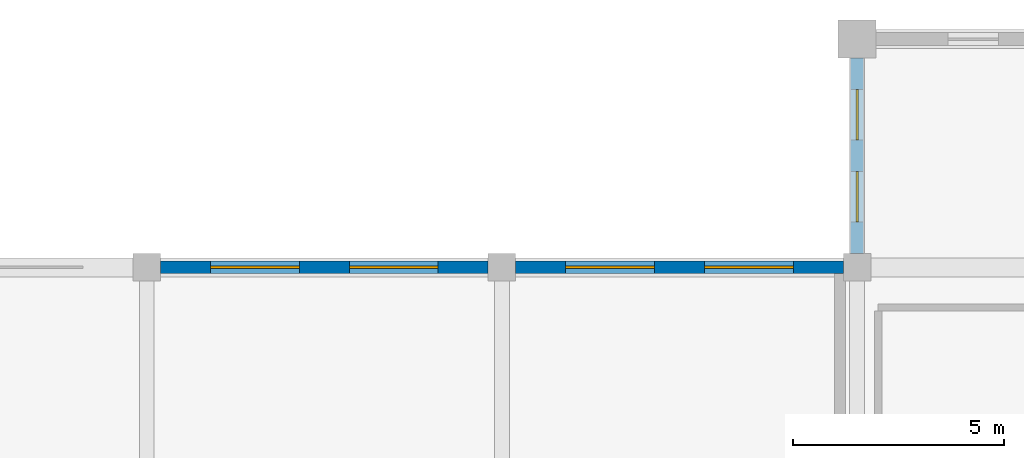
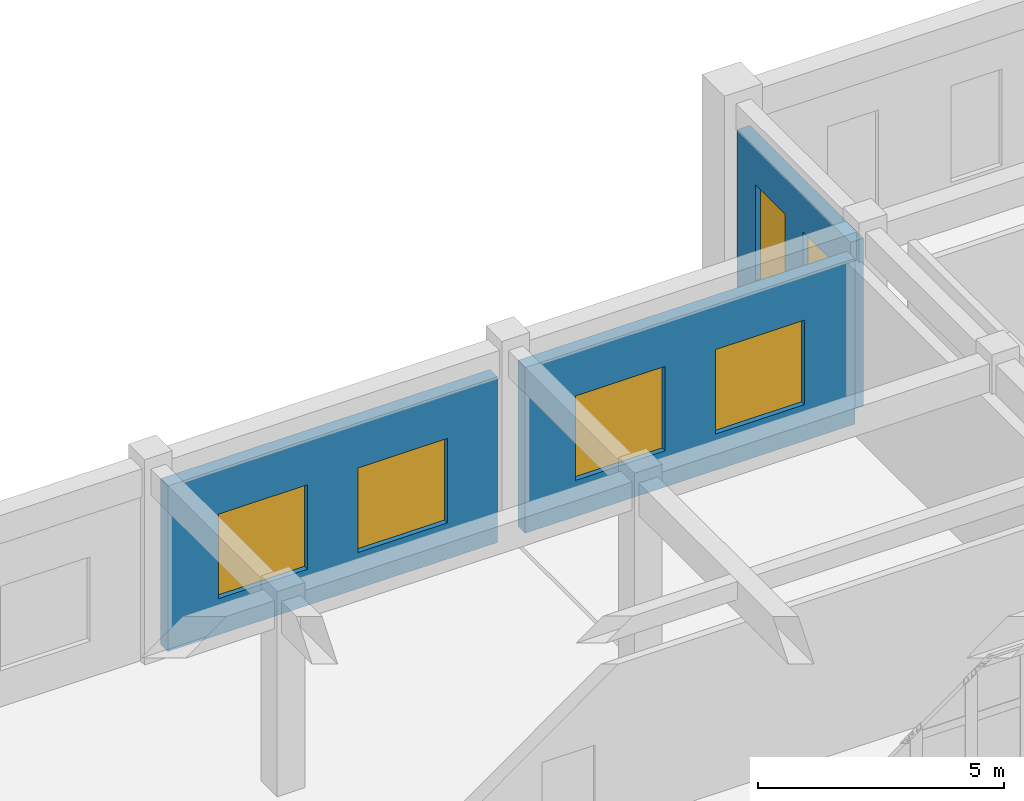
# One storey, part 64 of 80: 6 windows, 3 walls, 6 openings.
"""IFC4 building model written with IfcOpenShell, lengths in metres."""

import ifcopenshell
import ifcopenshell.guid

model = None  # the IFC model being written
_history = None  # IfcOwnerHistory: only IFC2X3 demands one
_inside = {}  # id of a spatial element -> (the spatial element, [elements in it])
_under = {}  # id of a project, library or spatial element -> (it, [spatial elements below it])
_declared = {}  # id of a project -> (the project, [libraries it declares])
_typed = {}  # id of a type object -> (the type object, [elements of that type])
_made_of = {}  # id of a material, layer set ... -> (it, [elements and type objects made of it])


def new_model(schema):
    """Start an empty IFC model of exactly this schema.

    Asked for "IFC4X3", IfcOpenShell would pick the latest addendum, in which some entities
    have other attributes; the version numbers below select the first issue.
    IFC2X3 requires an IfcOwnerHistory on every rooted entity: one is made here for all.
    """
    global model, _history
    if schema == "IFC4X3":
        model = ifcopenshell.file(schema_version=(4, 3, 0, 0))
    else:
        model = ifcopenshell.file(schema=schema)
    _inside.clear()
    _under.clear()
    _declared.clear()
    _typed.clear()
    _made_of.clear()
    _history = None
    if model.schema == "IFC2X3":
        org = make("IfcOrganization", Name="unknown")
        user = make(
            "IfcPersonAndOrganization",
            ThePerson=make("IfcPerson", FamilyName="unknown"),
            TheOrganization=org,
        )
        app = make(
            "IfcApplication",
            ApplicationDeveloper=org,
            Version="unknown",
            ApplicationFullName="unknown",
            ApplicationIdentifier="unknown",
        )
        _history = make(
            "IfcOwnerHistory",
            OwningUser=user,
            OwningApplication=app,
            ChangeAction="ADDED",
            CreationDate=0,
        )
    return model


def make(cls, **values):
    """One entity of the class cls with the attributes given. An attribute that is None is left unset."""
    return model.create_entity(
        cls, **{name: value for name, value in values.items() if value is not None}
    )


def rooted(cls, **values):
    """An entity with a GlobalId (a new one), such as an element, a storey or a relation."""
    return make(cls, GlobalId=ifcopenshell.guid.new(), OwnerHistory=_history, **values)


def si_unit(unit_type, name, prefix=None):
    """IfcSIUnit, for example si_unit("LENGTHUNIT", "METRE", prefix="MILLI")."""
    return make("IfcSIUnit", UnitType=unit_type, Prefix=prefix, Name=name)


def assignment(units):
    """IfcUnitAssignment: the units of a project."""
    return None if units is None else make("IfcUnitAssignment", Units=units)


def point(xyz):
    """IfcCartesianPoint."""
    return None if xyz is None else make("IfcCartesianPoint", Coordinates=xyz)


def direction(xyz):
    """IfcDirection."""
    return None if xyz is None else make("IfcDirection", DirectionRatios=xyz)


def frame(location, z_axis=None, x_axis=None):
    """IfcAxis2Placement3D, a coordinate frame: its origin and axes. An axis left out is left unset."""
    return make(
        "IfcAxis2Placement3D",
        Location=point(location),
        Axis=direction(z_axis),
        RefDirection=direction(x_axis),
    )


def frame_2d(location, x_axis=None):
    """IfcAxis2Placement2D, a coordinate frame in the plane: its origin and x axis."""
    return make(
        "IfcAxis2Placement2D", Location=point(location), RefDirection=direction(x_axis)
    )


def origin():
    """The frame at (0, 0, 0) with its axes left unset."""
    return frame((0.0, 0.0, 0.0))


def place(relative_to, where):
    """IfcLocalPlacement: puts the frame where relative to a parent placement (None: the world)."""
    return make(
        "IfcLocalPlacement", PlacementRelTo=relative_to, RelativePlacement=where
    )


def context(
    kind, dimensions, precision=None, world=None, true_north=None, identifier=None
):
    """IfcGeometricRepresentationContext, for example the 3D "Model" context."""
    return make(
        "IfcGeometricRepresentationContext",
        ContextIdentifier=identifier,
        ContextType=kind,
        CoordinateSpaceDimension=dimensions,
        Precision=precision,
        WorldCoordinateSystem=world,
        TrueNorth=true_north,
    )


def subcontext(parent, identifier, kind, view, scale=None):
    """IfcGeometricRepresentationSubContext, for example "Body" below "Model"."""
    return make(
        "IfcGeometricRepresentationSubContext",
        ContextIdentifier=identifier,
        ContextType=kind,
        ParentContext=parent,
        TargetScale=scale,
        TargetView=view,
    )


def project(units=None, contexts=None):
    """IfcProject with its units and contexts."""
    return rooted(
        "IfcProject",
        Name="project",
        RepresentationContexts=contexts,
        UnitsInContext=assignment(units),
    )


def spatial(cls, under=None, at=None, **own):
    """A site, building, storey or space (cls), placed at a placement, below another one or the project."""
    s = rooted(cls, ObjectPlacement=at, **own)
    if under is not None:
        _under.setdefault(under.id(), (under, []))[1].append(s)
    return s


def profile(cls, at=None, kind="AREA", **sizes):
    """A parametric profile (cls). Its sizes go by their IFC names, for example OverallWidth=200.0."""
    return make(cls, ProfileType=kind, Position=at, **sizes)


def rectangle(**sizes):
    """IfcRectangleProfileDef."""
    return profile("IfcRectangleProfileDef", **sizes)


def extrude(swept, where, along, depth):
    """IfcExtrudedAreaSolid: the profile swept, set in the frame where, extruded along a direction by depth."""
    return make(
        "IfcExtrudedAreaSolid",
        SweptArea=swept,
        Position=where,
        ExtrudedDirection=direction(along),
        Depth=depth,
    )


def shape(context_of_items, identifier, shape_type, items):
    """IfcShapeRepresentation: the items that make up one representation, for example the "Body"."""
    return make(
        "IfcShapeRepresentation",
        ContextOfItems=context_of_items,
        RepresentationIdentifier=identifier,
        RepresentationType=shape_type,
        Items=items,
    )


def material(Name=None, Category=None):
    """IfcMaterial."""
    return make("IfcMaterial", Name=Name, Category=Category)


def layer(
    of_material, thickness, ventilated=None, Name=None, Category=None, Priority=None
):
    """IfcMaterialLayer: one layer of a wall or slab, of a material (None: an air gap)."""
    return make(
        "IfcMaterialLayer",
        Material=of_material,
        LayerThickness=thickness,
        IsVentilated=ventilated,
        Name=Name,
        Category=Category,
        Priority=Priority,
    )


def layer_set(layers, Name=None):
    """IfcMaterialLayerSet."""
    return make("IfcMaterialLayerSet", MaterialLayers=layers, LayerSetName=Name)


def made_of(thing, what):
    """Note that an element or type object is made of a material, layer set ...; save() writes the relation."""
    if what is not None:
        _made_of.setdefault(what.id(), (what, []))[1].append(thing)
    return thing


def type_object(cls, material=None, **own):
    """A type object (cls), such as IfcWallType, which elements share."""
    return made_of(rooted(cls, **own), material)


def element(
    cls,
    number,
    at=None,
    inside=None,
    cuts=None,
    type_object=None,
    material=None,
    context=None,
    identifier="Body",
    shape_type=None,
    held_by="IfcProductDefinitionShape",
    body=None,
    shapes=None,
    **own,
):
    """One element of the class cls, such as IfcWall. Its Tag is "e" and its number.

    at: its placement. inside: the storey or other place that contains it. cuts: it is an
    opening in that element (IfcRelVoidsElement). A single representation is given by context,
    identifier, shape_type and body (its items); several are given by shapes. held_by: the class
    of the entity that holds the representations. save() writes the other relations.
    """
    e = rooted(cls, Tag="e%d" % number, ObjectPlacement=at, **own)
    if body is not None:
        shapes = [shape(context, identifier, shape_type, body)]
    if shapes is not None:
        e.Representation = make(held_by, Representations=shapes)
    if inside is not None:
        _inside.setdefault(inside.id(), (inside, []))[1].append(e)
    if cuts is not None:
        rooted(
            "IfcRelVoidsElement", RelatingBuildingElement=cuts, RelatedOpeningElement=e
        )
    if type_object is not None:
        _typed.setdefault(type_object.id(), (type_object, []))[1].append(e)
    return made_of(e, material)


def fill(opening, filler):
    """IfcRelFillsElement: the door or window that sits in an opening."""
    return rooted(
        "IfcRelFillsElement",
        RelatingOpeningElement=opening,
        RelatedBuildingElement=filler,
    )


def aggregate(whole, parts):
    """IfcRelAggregates: a whole, such as a stair, and the parts it consists of."""
    return rooted("IfcRelAggregates", RelatingObject=whole, RelatedObjects=parts)


def save(model, path):
    """Write the relations noted so far, then the file.

    IfcRelAggregates (storeys below a building ...), IfcRelContainedInSpatialStructure (elements
    in a storey), IfcRelDefinesByType, IfcRelAssociatesMaterial and IfcRelDeclares: one each for
    every whole, place, type object, material and project.
    """
    for whole, parts in _under.values():
        aggregate(whole, parts)
    for where, things in _inside.values():
        rooted(
            "IfcRelContainedInSpatialStructure",
            RelatedElements=things,
            RelatingStructure=where,
        )
    for kind, things in _typed.values():
        rooted("IfcRelDefinesByType", RelatedObjects=things, RelatingType=kind)
    for what, things in _made_of.values():
        rooted("IfcRelAssociatesMaterial", RelatedObjects=things, RelatingMaterial=what)
    for by, libraries in _declared.values():
        rooted("IfcRelDeclares", RelatingContext=by, RelatedDefinitions=libraries)
    model.write(path)


model = new_model("IFC4")

# Units and contexts
model_context = context("Model", 3, precision=1e-05, world=origin(), true_north=direction((0.0, 1.0)))
body_context = subcontext(model_context, "Body", "Model", "MODEL_VIEW")
ifc_project = project(units=[si_unit("LENGTHUNIT", "METRE"), si_unit("AREAUNIT", "SQUARE_METRE"), si_unit("VOLUMEUNIT", "CUBIC_METRE"), si_unit("PLANEANGLEUNIT", "RADIAN"), si_unit("MASSUNIT", "GRAM", prefix="KILO")], contexts=[model_context])

# Site, building, storey
site_placement = place(None, origin())
site = spatial("IfcSite", under=ifc_project, at=site_placement, CompositionType="ELEMENT")
building_placement = place(site_placement, origin())
building = spatial("IfcBuilding", under=site, at=building_placement, Name="Krzemoval Escarpment Law Courts", CompositionType="ELEMENT")
storey_placement = place(building_placement, origin())
storey = spatial("IfcBuildingStorey", under=building, at=storey_placement, Name="L00", CompositionType="ELEMENT", Elevation=0.0)

# Wall, openings, windows
ifc_material_1 = material(Name="Precast concrete C40/50", Category="concrete")
ifc_layer = layer(ifc_material_1, 0.300048828125)
ifc_layer_set = layer_set([ifc_layer], Name="Precast concrete C40/50")
wall_type = type_object("IfcWallType", Name="WL-EXT-300", PredefinedType="SOLIDWALL", material=ifc_layer_set)
wall_1_placement = place(storey_placement, frame((109.52490234375, 113.39990234375, 0.0), z_axis=(0.0, 0.0, 1.0), x_axis=(1.0, 0.0, 0.0)))
wall_1 = element("IfcWall", 1, at=wall_1_placement, inside=storey, type_object=wall_type, Name="Exterior Wall EW-L00-0087", PredefinedType="SOLIDWALL", context=body_context, shape_type="SweptSolid", body=[
    extrude(rectangle(XDim=7.75, YDim=0.300048828125, at=frame_2d((3.875, 0.0))), origin(), (0.0, 0.0, 1.0), 4.1201171875),
])
opening_1_placement = place(wall_1_placement, frame((1.18310546875, 0.0, 0.89990234375)))
opening_1 = element("IfcOpeningElement", 2, at=opening_1_placement, cuts=wall_1, Name="Opening WN-L00-0025", PredefinedType="OPENING", context=body_context, shape_type="SweptSolid", body=[
    extrude(rectangle(XDim=2.10009765625, YDim=2.10009765625, at=frame_2d((1.050048828125, 1.050048828125))), frame((0.0, 0.16502, 0.0), z_axis=(0.0, -1.0, 0.0), x_axis=(1.0, 0.0, 0.0)), (0.0, 0.0, 1.0), 0.33005),
])
opening_2_placement = place(wall_1_placement, frame((4.467041015625, 0.0, 0.89990234375)))
opening_2 = element("IfcOpeningElement", 3, at=opening_2_placement, cuts=wall_1, Name="Opening WN-L00-0026", PredefinedType="OPENING", context=body_context, shape_type="SweptSolid", body=[
    extrude(rectangle(XDim=2.10009765625, YDim=2.10009765625, at=frame_2d((1.050048828125, 1.050048828125))), frame((0.0, 0.16502, 0.0), z_axis=(0.0, -1.0, 0.0), x_axis=(1.0, 0.0, 0.0)), (0.0, 0.0, 1.0), 0.33005),
])
ifc_material_2 = material(Name="Thermally Broken Aluminium Frame with Triple Low-E Acoustic Glass", Category="aluminium")
window_type_1 = type_object("IfcWindowType", Name="WN-2100x2100", PartitioningType="SINGLE_PANEL", PredefinedType="WINDOW", material=ifc_material_2)
window_1_placement = place(opening_1_placement, origin())
window_1 = element("IfcWindow", 4, at=window_1_placement, inside=storey, type_object=window_type_1, Name="Facade Window WN-L00-0025", OverallHeight=2.10009765625, OverallWidth=2.10009765625, PartitioningType="SINGLE_PANEL", PredefinedType="WINDOW", context=body_context, shape_type="SweptSolid", body=[
    extrude(rectangle(XDim=2.10009765625, YDim=2.10009765625, at=frame_2d((1.050048828125, 1.050048828125))), frame((0.0, 0.030029296875, 0.0), z_axis=(0.0, -1.0, 0.0), x_axis=(1.0, 0.0, 0.0)), (0.0, 0.0, 1.0), 0.06005859375),
])
fill(opening_1, window_1)
window_2_placement = place(opening_2_placement, origin())
window_2 = element("IfcWindow", 5, at=window_2_placement, inside=storey, type_object=window_type_1, Name="Facade Window WN-L00-0026", OverallHeight=2.10009765625, OverallWidth=2.10009765625, PartitioningType="SINGLE_PANEL", PredefinedType="WINDOW", context=body_context, shape_type="SweptSolid", body=[
    extrude(rectangle(XDim=2.10009765625, YDim=2.10009765625, at=frame_2d((1.050048828125, 1.050048828125))), frame((0.0, 0.030029296875, 0.0), z_axis=(0.0, -1.0, 0.0), x_axis=(1.0, 0.0, 0.0)), (0.0, 0.0, 1.0), 0.06005859375),
])
fill(opening_2, window_2)

wall_2_placement = place(storey_placement, frame((117.925048828125, 113.39990234375, 0.0), z_axis=(0.0, 0.0, 1.0), x_axis=(1.0, 0.0, 0.0)))
wall_2 = element("IfcWall", 6, at=wall_2_placement, inside=storey, type_object=wall_type, Name="Exterior Wall EW-L00-0088", PredefinedType="SOLIDWALL", context=body_context, shape_type="SweptSolid", body=[
    extrude(rectangle(XDim=7.75, YDim=0.300048828125, at=frame_2d((3.875, 0.0))), origin(), (0.0, 0.0, 1.0), 4.1201171875),
])
opening_3_placement = place(wall_2_placement, frame((1.18310546875, 0.0, 0.89990234375)))
opening_3 = element("IfcOpeningElement", 7, at=opening_3_placement, cuts=wall_2, Name="Opening WN-L00-0027", PredefinedType="OPENING", context=body_context, shape_type="SweptSolid", body=[
    extrude(rectangle(XDim=2.10009765625, YDim=2.10009765625, at=frame_2d((1.050048828125, 1.050048828125))), frame((0.0, 0.16502, 0.0), z_axis=(0.0, -1.0, 0.0), x_axis=(1.0, 0.0, 0.0)), (0.0, 0.0, 1.0), 0.33005),
])
opening_4_placement = place(wall_2_placement, frame((4.467041015625, 0.0, 0.89990234375)))
opening_4 = element("IfcOpeningElement", 8, at=opening_4_placement, cuts=wall_2, Name="Opening WN-L00-0028", PredefinedType="OPENING", context=body_context, shape_type="SweptSolid", body=[
    extrude(rectangle(XDim=2.10009765625, YDim=2.10009765625, at=frame_2d((1.050048828125, 1.050048828125))), frame((0.0, 0.16502, 0.0), z_axis=(0.0, -1.0, 0.0), x_axis=(1.0, 0.0, 0.0)), (0.0, 0.0, 1.0), 0.33005),
])
window_3_placement = place(opening_3_placement, origin())
window_3 = element("IfcWindow", 9, at=window_3_placement, inside=storey, type_object=window_type_1, Name="Facade Window WN-L00-0027", OverallHeight=2.10009765625, OverallWidth=2.10009765625, PartitioningType="SINGLE_PANEL", PredefinedType="WINDOW", context=body_context, shape_type="SweptSolid", body=[
    extrude(rectangle(XDim=2.10009765625, YDim=2.10009765625, at=frame_2d((1.050048828125, 1.050048828125))), frame((0.0, 0.030029296875, 0.0), z_axis=(0.0, -1.0, 0.0), x_axis=(1.0, 0.0, 0.0)), (0.0, 0.0, 1.0), 0.06005859375),
])
fill(opening_3, window_3)
window_4_placement = place(opening_4_placement, origin())
window_4 = element("IfcWindow", 10, at=window_4_placement, inside=storey, type_object=window_type_1, Name="Facade Window WN-L00-0028", OverallHeight=2.10009765625, OverallWidth=2.10009765625, PartitioningType="SINGLE_PANEL", PredefinedType="WINDOW", context=body_context, shape_type="SweptSolid", body=[
    extrude(rectangle(XDim=2.10009765625, YDim=2.10009765625, at=frame_2d((1.050048828125, 1.050048828125))), frame((0.0, 0.030029296875, 0.0), z_axis=(0.0, -1.0, 0.0), x_axis=(1.0, 0.0, 0.0)), (0.0, 0.0, 1.0), 0.06005859375),
])
fill(opening_4, window_4)

wall_3_placement = place(storey_placement, frame((126.0, 113.72509765625, 0.0), z_axis=(0.0, 0.0, 1.0), x_axis=(0.0, 1.0, 0.0)))
wall_3 = element("IfcWall", 11, at=wall_3_placement, inside=storey, type_object=wall_type, Name="Exterior Wall EW-L00-0089", PredefinedType="SOLIDWALL", context=body_context, shape_type="SweptSolid", body=[
    extrude(rectangle(XDim=4.625, YDim=0.300048828125, at=frame_2d((2.3125, 0.0))), origin(), (0.0, 0.0, 1.0), 4.169921875),
])
opening_5_placement = place(wall_3_placement, frame((0.741943359375, 0.0, 0.85009765625)))
opening_5 = element("IfcOpeningElement", 12, at=opening_5_placement, cuts=wall_3, Name="Opening WN-L00-0029", PredefinedType="OPENING", context=body_context, shape_type="SweptSolid", body=[
    extrude(rectangle(XDim=1.199951171875, YDim=2.39990234375, at=frame_2d((0.60009765625, 1.199951171875))), frame((0.0, 0.16502, 0.0), z_axis=(0.0, -1.0, 0.0), x_axis=(1.0, 0.0, 0.0)), (0.0, 0.0, 1.0), 0.33005),
])
opening_6_placement = place(wall_3_placement, frame((2.68310546875, 0.0, 0.85009765625)))
opening_6 = element("IfcOpeningElement", 13, at=opening_6_placement, cuts=wall_3, Name="Opening WN-L00-0030", PredefinedType="OPENING", context=body_context, shape_type="SweptSolid", body=[
    extrude(rectangle(XDim=1.199951171875, YDim=2.39990234375, at=frame_2d((0.60009765625, 1.199951171875))), frame((0.0, 0.16502, 0.0), z_axis=(0.0, -1.0, 0.0), x_axis=(1.0, 0.0, 0.0)), (0.0, 0.0, 1.0), 0.33005),
])
ifc_material_3 = material(Name="Thermally Broken Aluminium Frame with Triple Low-E Acoustic Glass", Category="aluminium")
window_type_2 = type_object("IfcWindowType", Name="WN-1200x2400", PartitioningType="SINGLE_PANEL", PredefinedType="WINDOW", material=ifc_material_3)
window_5_placement = place(opening_5_placement, origin())
window_5 = element("IfcWindow", 14, at=window_5_placement, inside=storey, type_object=window_type_2, Name="Facade Window WN-L00-0029", OverallHeight=2.39990234375, OverallWidth=1.199951171875, PartitioningType="SINGLE_PANEL", PredefinedType="WINDOW", context=body_context, shape_type="SweptSolid", body=[
    extrude(rectangle(XDim=1.199951171875, YDim=2.39990234375, at=frame_2d((0.60009765625, 1.199951171875))), frame((0.0, 0.030029296875, 0.0), z_axis=(0.0, -1.0, 0.0), x_axis=(1.0, 0.0, 0.0)), (0.0, 0.0, 1.0), 0.06005859375),
])
fill(opening_5, window_5)
window_6_placement = place(opening_6_placement, origin())
window_6 = element("IfcWindow", 15, at=window_6_placement, inside=storey, type_object=window_type_2, Name="Facade Window WN-L00-0030", OverallHeight=2.39990234375, OverallWidth=1.199951171875, PartitioningType="SINGLE_PANEL", PredefinedType="WINDOW", context=body_context, shape_type="SweptSolid", body=[
    extrude(rectangle(XDim=1.199951171875, YDim=2.39990234375, at=frame_2d((0.60009765625, 1.199951171875))), frame((0.0, 0.030029296875, 0.0), z_axis=(0.0, -1.0, 0.0), x_axis=(1.0, 0.0, 0.0)), (0.0, 0.0, 1.0), 0.06005859375),
])
fill(opening_6, window_6)

save(model, "model.ifc")
